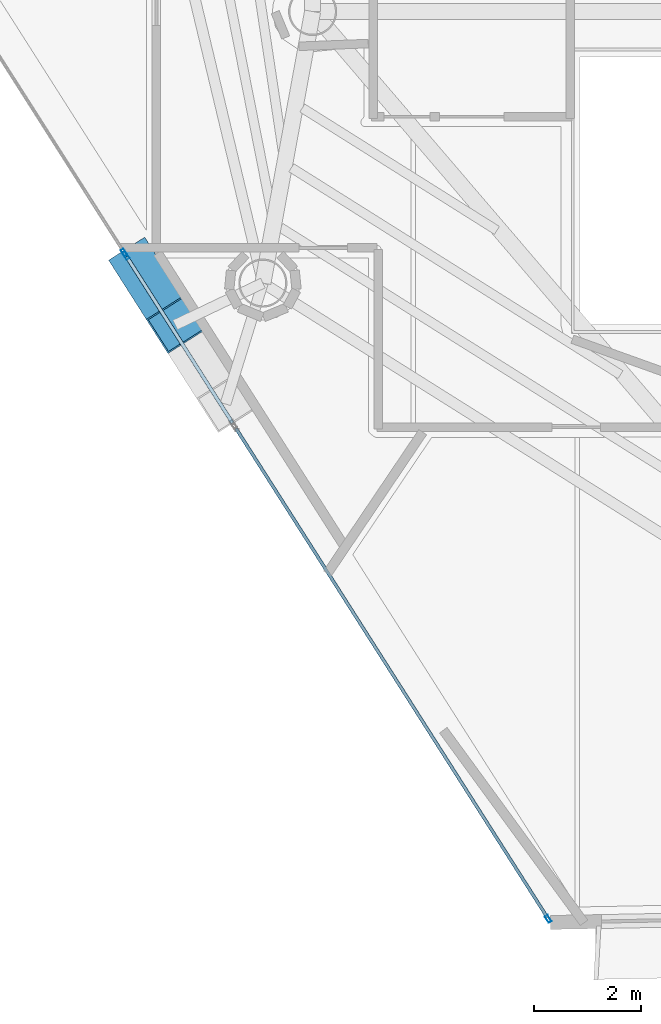
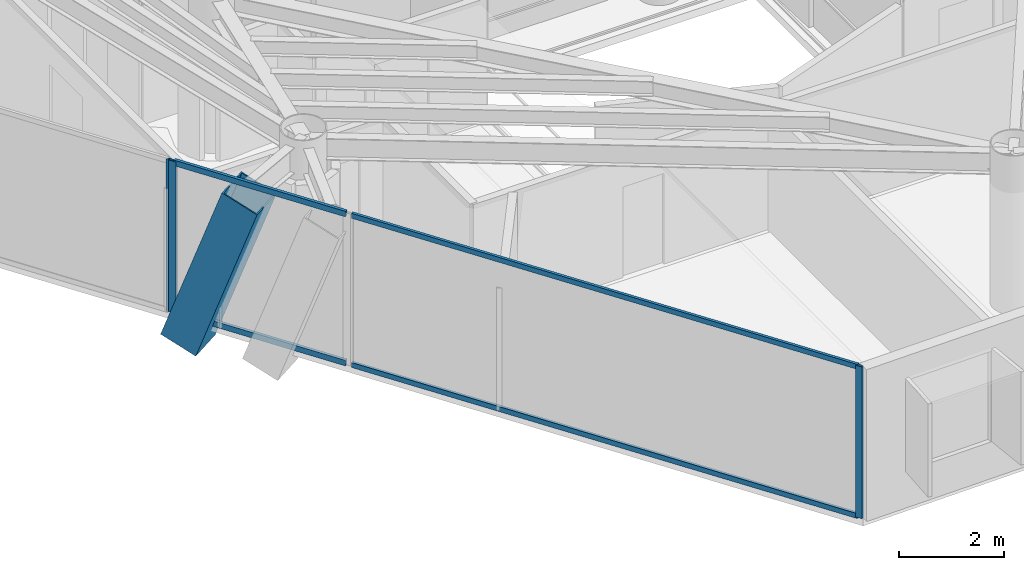
# One storey, part 2 of 25: 8 members, 3 elements without a shape of their own.
"""IFC4 building model written with IfcOpenShell, lengths in metres."""

from ifc_helpers import new_model, si_unit, direction, frame, origin, origin_2d, place, context, subcontext, project, spatial, hollow_rectangle, extrude, material, layer, layer_set, material_profile, profile_set, type_object, element, aggregate, save


model = new_model("IFC4")

# Units and contexts
model_context = context("Model", 3, precision=1e-05, world=origin(), true_north=direction((0.0, 1.0)))
body_context = subcontext(model_context, "Body", "Model", "MODEL_VIEW")
ifc_project = project(units=[si_unit("LENGTHUNIT", "METRE"), si_unit("AREAUNIT", "SQUARE_METRE"), si_unit("VOLUMEUNIT", "CUBIC_METRE"), si_unit("PLANEANGLEUNIT", "RADIAN"), si_unit("MASSUNIT", "GRAM", prefix="KILO")], contexts=[model_context])

# Site, building, storey
site_placement = place(None, origin())
site = spatial("IfcSite", under=ifc_project, at=site_placement, CompositionType="ELEMENT")
building_placement = place(site_placement, origin())
building = spatial("IfcBuilding", under=site, at=building_placement, Name="Qianvela Tower", CompositionType="ELEMENT")
storey_placement = place(building_placement, frame((0.0, 0.0, 291.699951171875)))
storey = spatial("IfcBuildingStorey", under=building, at=storey_placement, Name="L75", CompositionType="ELEMENT", Elevation=291.699951171875)

# Curtain wall, members
ifc_material_1 = material(Name="Anodised Architectural Aluminium and Insulated Spandrel Panel", Category="aluminium")
ifc_layer_1 = layer(ifc_material_1, 0.179931640625)
ifc_layer_set_1 = layer_set([ifc_layer_1], Name="Anodised Architectural Aluminium and Insulated Spandrel Panel")
curtain_wall_type_1 = type_object("IfcCurtainWallType", Name="CW-BRACEBAY", PredefinedType="USERDEFINED", material=ifc_layer_set_1)
curtain_wall_1_placement = place(storey_placement, origin())
curtain_wall_1 = element("IfcCurtainWall", 1, at=curtain_wall_1_placement, inside=storey, type_object=curtain_wall_type_1, Name="L75 CW-BRACEBAY Curtain Wall 04B", ObjectType="CURTAIN_WALL_SYSTEM", PredefinedType="USERDEFINED")
ifc_material_2 = material(Name="Anodised Architectural Aluminium 6063-T6", Category="aluminium")
ifc_material_profile_1 = material_profile(ifc_material_2, hollow_rectangle(XDim=0.06494140625, YDim=0.159912109375, WallThickness=0.0048828125, at=origin_2d()), Name="ALU-MULL-65x160")
ifc_profile_set_1 = profile_set([ifc_material_profile_1], Name="Anodised Architectural Aluminium 6063-T6")
member_type_1 = type_object("IfcMemberType", Name="CW-BRACEBAY-MULL", PredefinedType="MULLION", material=ifc_profile_set_1)
member_1_placement = place(storey_placement, frame((25.10791015625, 19.2919921875, 0.0), z_axis=(0.0, 0.0, 1.0), x_axis=(0.843575016453, 0.537011351478, 0.0)))
member_1 = element("IfcMember", 2, at=member_1_placement, type_object=member_type_1, Name="CW-9 mullion 1", PredefinedType="MULLION", context=body_context, shape_type="SweptSolid", body=[
    extrude(hollow_rectangle(XDim=0.06494140625, YDim=0.159912109375, WallThickness=0.0048828125, at=origin_2d()), origin(), (0.0, 0.0, 1.0), 3.52001953125),
])
ifc_material_3 = material(Name="Anodised Architectural Aluminium 6063-T6", Category="aluminium")
ifc_material_profile_2 = material_profile(ifc_material_3, hollow_rectangle(XDim=0.06494140625, YDim=0.1298828125, WallThickness=0.00439453125, at=origin_2d()), Name="ALU-TRAN-65x130")
ifc_profile_set_2 = profile_set([ifc_material_profile_2], Name="Anodised Architectural Aluminium 6063-T6")
member_type_2 = type_object("IfcMemberType", Name="CW-BRACEBAY-TRAN", PredefinedType="USERDEFINED", material=ifc_profile_set_2)
member_2_placement = place(storey_placement, frame((25.12548828125, 19.264404296875, 0.032470703125), z_axis=(0.536999981612, -0.843582254287, 0.0), x_axis=(0.843582254287, 0.536999981612, 0.0)))
member_2 = element("IfcMember", 3, at=member_2_placement, type_object=member_type_2, Name="CW-9 transom 1.1", ObjectType="TRANSOM", PredefinedType="USERDEFINED", context=body_context, shape_type="SweptSolid", body=[
    extrude(hollow_rectangle(XDim=0.06494140625, YDim=0.1298828125, WallThickness=0.00439453125, at=origin_2d()), origin(), (0.0, 0.0, 1.0), 3.679931640625),
])
member_3_placement = place(storey_placement, frame((25.12548828125, 19.264404296875, 3.487548828125), z_axis=(0.536999981612, -0.843582254287, 0.0), x_axis=(0.843582254287, 0.536999981612, 0.0)))
member_3 = element("IfcMember", 4, at=member_3_placement, type_object=member_type_2, Name="CW-9 transom 1.2", ObjectType="TRANSOM", PredefinedType="USERDEFINED", context=body_context, shape_type="SweptSolid", body=[
    extrude(hollow_rectangle(XDim=0.06494140625, YDim=0.1298828125, WallThickness=0.00439453125, at=origin_2d()), origin(), (0.0, 0.0, 1.0), 3.679931640625),
])
aggregate(curtain_wall_1, [member_1, member_2, member_3])

# Curtain wall, member
ifc_material_4 = material(Name="Anodised Architectural Aluminium and Low-E Glass", Category="aluminium")
ifc_layer_2 = layer(ifc_material_4, 0.14990234375)
ifc_layer_set_2 = layer_set([ifc_layer_2], Name="Anodised Architectural Aluminium and Low-E Glass")
curtain_wall_type_2 = type_object("IfcCurtainWallType", Name="CW-COLIV-Z78", PredefinedType="USERDEFINED", material=ifc_layer_set_2)
curtain_wall_2_placement = place(storey_placement, origin())
curtain_wall_2 = element("IfcCurtainWall", 5, at=curtain_wall_2_placement, inside=storey, type_object=curtain_wall_type_2, Name="L75 CW-COLIV-Z78 Curtain Wall 04A", ObjectType="CURTAIN_WALL_SYSTEM", PredefinedType="USERDEFINED")
ifc_material_5 = material(Name="Anodised Architectural Aluminium 6063-T6", Category="aluminium")
ifc_material_profile_3 = material_profile(ifc_material_5, hollow_rectangle(XDim=0.06005859375, YDim=0.139892578125, WallThickness=0.00439453125, at=origin_2d()), Name="ALU-MULL-60x140")
ifc_profile_set_3 = profile_set([ifc_material_profile_3], Name="Anodised Architectural Aluminium 6063-T6")
member_type_3 = type_object("IfcMemberType", Name="CW-COLIV-Z78-MULL", PredefinedType="MULLION", material=ifc_profile_set_3)
member_4_placement = place(storey_placement, frame((25.074462890625, 19.3447265625, 0.0), z_axis=(0.0, 0.0, 1.0), x_axis=(0.8435804858, 0.537002759749, 0.0)))
member_4 = element("IfcMember", 6, at=member_4_placement, type_object=member_type_3, Name="CW-6 mullion 3", PredefinedType="MULLION", context=body_context, shape_type="SweptSolid", body=[
    extrude(hollow_rectangle(XDim=0.06005859375, YDim=0.139892578125, WallThickness=0.00439453125, at=origin_2d()), origin(), (0.0, 0.0, 1.0), 3.52001953125),
])
aggregate(curtain_wall_2, [member_4])

# Curtain wall, members
curtain_wall_3_placement = place(storey_placement, origin())
curtain_wall_3 = element("IfcCurtainWall", 7, at=curtain_wall_3_placement, inside=storey, type_object=curtain_wall_type_2, Name="L75 CW-COLIV-Z78 Curtain Wall 04C", ObjectType="CURTAIN_WALL_SYSTEM", PredefinedType="USERDEFINED")
member_5_placement = place(storey_placement, frame((33.004150390625, 6.887939453125, 0.0), z_axis=(0.0, 0.0, 1.0), x_axis=(0.843579549826, 0.537004230072, 0.0)))
member_5 = element("IfcMember", 8, at=member_5_placement, type_object=member_type_3, Name="CW-6 mullion 2", PredefinedType="MULLION", context=body_context, shape_type="SweptSolid", body=[
    extrude(hollow_rectangle(XDim=0.06005859375, YDim=0.139892578125, WallThickness=0.00439453125, at=origin_2d()), origin(), (0.0, 0.0, 1.0), 3.52001953125),
])
ifc_material_6 = material(Name="Anodised Architectural Aluminium 6063-T6", Category="aluminium")
ifc_material_profile_4 = material_profile(ifc_material_6, hollow_rectangle(XDim=0.06005859375, YDim=0.114990234375, WallThickness=0.00390625, at=origin_2d()), Name="ALU-TRAN-60x115")
ifc_profile_set_4 = profile_set([ifc_material_profile_4], Name="Anodised Architectural Aluminium 6063-T6")
member_type_4 = type_object("IfcMemberType", Name="CW-COLIV-Z78-TRAN", PredefinedType="USERDEFINED", material=ifc_profile_set_4)
member_6_placement = place(storey_placement, frame((27.168701171875, 16.0546875, 0.030029296875), z_axis=(0.537013975331, -0.843573346129, 0.0), x_axis=(0.843573346129, 0.537013975331, 0.0)))
member_6 = element("IfcMember", 9, at=member_6_placement, type_object=member_type_4, Name="CW-6 transom 1.1", ObjectType="TRANSOM", PredefinedType="USERDEFINED", context=body_context, shape_type="SweptSolid", body=[
    extrude(hollow_rectangle(XDim=0.06005859375, YDim=0.114990234375, WallThickness=0.00390625, at=origin_2d()), origin(), (0.0, 0.0, 1.0), 10.83642578125),
])
member_7_placement = place(storey_placement, frame((27.168701171875, 16.0546875, 3.489990234375), z_axis=(0.537013975331, -0.843573346129, 0.0), x_axis=(0.843573346129, 0.537013975331, 0.0)))
member_7 = element("IfcMember", 10, at=member_7_placement, type_object=member_type_4, Name="CW-6 transom 1.2", ObjectType="TRANSOM", PredefinedType="USERDEFINED", context=body_context, shape_type="SweptSolid", body=[
    extrude(hollow_rectangle(XDim=0.06005859375, YDim=0.114990234375, WallThickness=0.00390625, at=origin_2d()), origin(), (0.0, 0.0, 1.0), 10.83642578125),
])
aggregate(curtain_wall_3, [member_5, member_6, member_7])

# Member
ifc_material_7 = material(Name="Steel Q420GJC", Category="steel")
ifc_material_profile_5 = material_profile(ifc_material_7, hollow_rectangle(XDim=0.800048828125, YDim=0.800048828125, WallThickness=0.028076171875, at=origin_2d()), Name="MBOX-800x800x28")
ifc_profile_set_5 = profile_set([ifc_material_profile_5], Name="Steel Q420GJC")
member_type_5 = type_object("IfcMemberType", Name="MBR-MBRACE-800", PredefinedType="BRACE", material=ifc_profile_set_5)
member_8_placement = place(storey_placement, frame((25.325927734375, 19.0986328125, -0.48193359375), z_axis=(0.17953365964, -0.282079903058, 0.942442885987), x_axis=(0.843623194773, 0.536935662105, 0.0)))
element("IfcMember", 11, at=member_8_placement, inside=storey, type_object=member_type_5, Name="L75 Tier 12 Exterior Mega-Brace F2A", PredefinedType="BRACE", context=body_context, shape_type="SweptSolid", body=[
    extrude(hollow_rectangle(XDim=0.800048828125, YDim=0.800048828125, WallThickness=0.028076171875, at=origin_2d()), origin(), (0.0, 0.0, 1.0), 3.926025390625),
])

save(model, "model.ifc")
